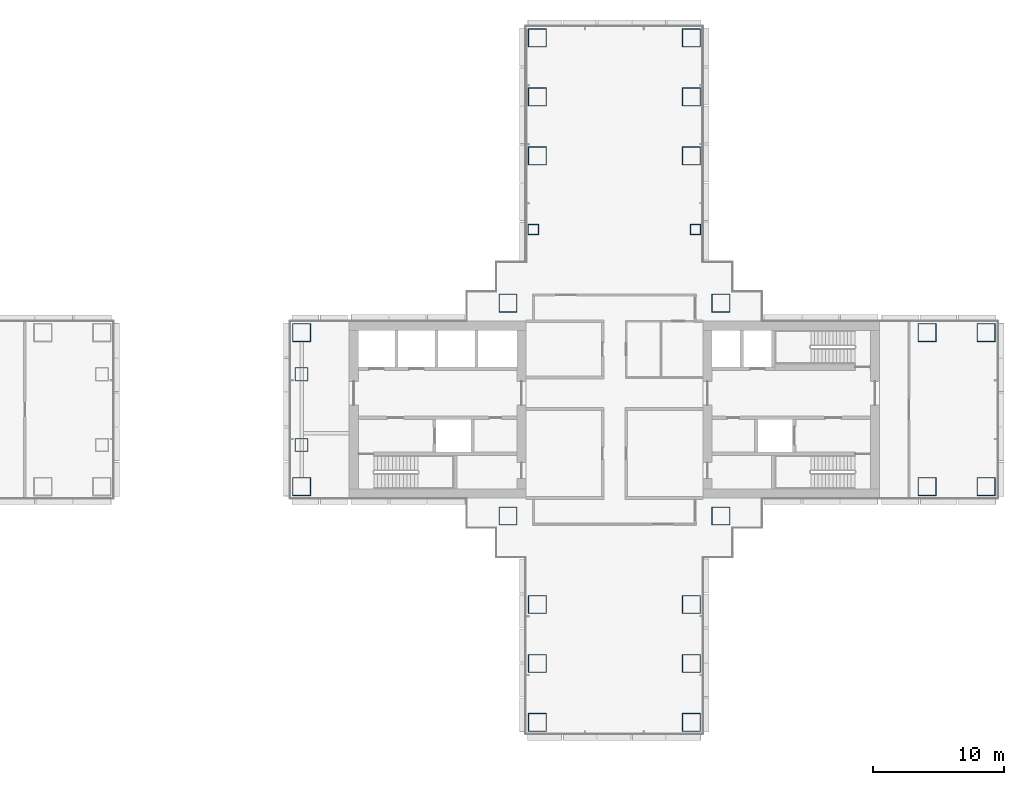
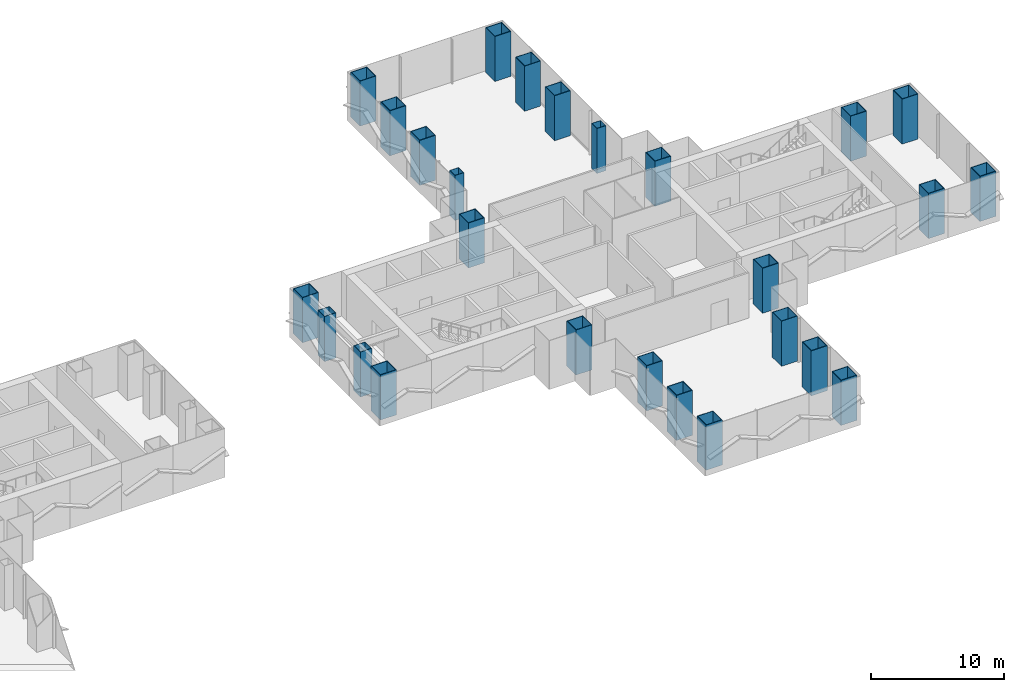
# One storey, part 2 of 22: 26 columns.
"""IFC4 building model written with IfcOpenShell, lengths in metres."""

from ifc_helpers import new_model, si_unit, direction, frame, origin, origin_2d, place, context, subcontext, project, spatial, hollow_rectangle, extrude, material, material_profile, profile_set, type_object, element, save


model = new_model("IFC4")

# Units and contexts
model_context = context("Model", 3, precision=1e-05, world=origin(), true_north=direction((0.0, 1.0)))
body_context = subcontext(model_context, "Body", "Model", "MODEL_VIEW")
ifc_project = project(units=[si_unit("LENGTHUNIT", "METRE"), si_unit("AREAUNIT", "SQUARE_METRE"), si_unit("VOLUMEUNIT", "CUBIC_METRE"), si_unit("PLANEANGLEUNIT", "RADIAN"), si_unit("MASSUNIT", "GRAM", prefix="KILO")], contexts=[model_context])

# Site, building, storey
site_placement = place(None, origin())
site = spatial("IfcSite", under=ifc_project, at=site_placement, CompositionType="ELEMENT")
building_placement = place(site_placement, origin())
building = spatial("IfcBuilding", under=site, at=building_placement, Name="Shamsa Quay Exchange Towers", CompositionType="ELEMENT")
storey_placement = place(building_placement, frame((0.0, 0.0, 33.0)))
storey = spatial("IfcBuildingStorey", under=building, at=storey_placement, Name="L06", CompositionType="ELEMENT", Elevation=33.0)

# Columns
ifc_material_1 = material(Name="Concrete-filled steel tube S355 / C80/95", Category="concrete")
ifc_material_profile_1 = material_profile(ifc_material_1, hollow_rectangle(XDim=1.39990234375, YDim=1.39990234375, WallThickness=0.050048828125, at=origin_2d()), Name="CFT 1400x1400x50")
ifc_profile_set_1 = profile_set([ifc_material_profile_1], Name="Concrete-filled steel tube S355 / C80/95")
column_type_1 = type_object("IfcColumnType", Name="Column CFT 1400x1400x50", PredefinedType="COLUMN", material=ifc_profile_set_1)
for number, where, name in (
    (1, (25.625, 8.125, 0.0), "Mega column T2-CM01"),
    (2, (41.875, 8.125, 0.0), "Mega column T2-CM02"),
    (3, (25.625, -8.125, 0.0), "Mega column T2-CM03"),
    (4, (41.875, -8.125, 0.0), "Mega column T2-CM04"),
    (5, (39.625, 19.375, 0.0), "Mega column T2-CM06"),
    (6, (39.625, 23.875, 0.0), "Mega column T2-CM07"),
    (7, (39.625, 28.375, 0.0), "Mega column T2-CM08"),
    (8, (27.875, 19.375, 0.0), "Mega column T2-CM10"),
    (9, (27.875, 23.875, 0.0), "Mega column T2-CM11"),
    (10, (27.875, 28.375, 0.0), "Mega column T2-CM12"),
    (11, (39.625, -14.875, 0.0), "Mega column T2-CM13"),
    (12, (39.625, -19.375, 0.0), "Mega column T2-CM14"),
    (13, (39.625, -23.875, 0.0), "Mega column T2-CM15"),
    (14, (27.875, -14.875, 0.0), "Mega column T2-CM16"),
    (15, (27.875, -19.375, 0.0), "Mega column T2-CM17"),
    (16, (27.875, -23.875, 0.0), "Mega column T2-CM18"),
    (17, (9.875, -5.875, 0.0), "Mega column T2-CM19"),
    (18, (9.875, 5.875, 0.0), "Mega column T2-CM20"),
    (19, (57.625, -5.875, 0.0), "Mega column T2-CM21"),
    (20, (62.125, -5.875, 0.0), "Mega column T2-CM22"),
    (21, (57.625, 5.875, 0.0), "Mega column T2-CM23"),
    (22, (62.125, 5.875, 0.0), "Mega column T2-CM24"),
):
    element("IfcColumn", number, at=place(storey_placement, frame(where)), inside=storey, type_object=column_type_1, Name=name, PredefinedType="COLUMN", context=body_context, shape_type="SweptSolid", body=[
        extrude(hollow_rectangle(XDim=1.39990234375, YDim=1.39990234375, WallThickness=0.050048828125, at=origin_2d()), origin(), (0.0, 0.0, 1.0), 4.14990234375),
    ])
ifc_material_2 = material(Name="Concrete-filled steel tube S355 / C60/75", Category="concrete")
ifc_material_profile_2 = material_profile(ifc_material_2, hollow_rectangle(XDim=0.800048828125, YDim=0.800048828125, WallThickness=0.02490234375, at=origin_2d()), Name="CFT 800x800x25")
ifc_profile_set_2 = profile_set([ifc_material_profile_2], Name="Concrete-filled steel tube S355 / C60/75")
column_type_2 = type_object("IfcColumnType", Name="Column CFT 800x800x25", PredefinedType="COLUMN", material=ifc_profile_set_2)
for number, where, name in (
    (23, (39.9375, 13.75, 0.0), "Perimeter column T2-CP05"),
    (24, (27.5625, 13.75, 0.0), "Perimeter column T2-CP09"),
):
    element("IfcColumn", number, at=place(storey_placement, frame(where)), inside=storey, type_object=column_type_2, Name=name, PredefinedType="COLUMN", context=body_context, shape_type="SweptSolid", body=[
        extrude(hollow_rectangle(XDim=0.800048828125, YDim=0.800048828125, WallThickness=0.02490234375, at=origin_2d()), origin(), (0.0, 0.0, 1.0), 4.14990234375),
    ])
ifc_material_3 = material(Name="Concrete-filled steel tube S355 / C70/85", Category="concrete")
ifc_material_profile_3 = material_profile(ifc_material_3, hollow_rectangle(XDim=1.0, YDim=1.0, WallThickness=0.0400390625, at=origin_2d()), Name="CFT 1000x1000x40")
ifc_profile_set_3 = profile_set([ifc_material_profile_3], Name="Concrete-filled steel tube S355 / C70/85")
column_type_3 = type_object("IfcColumnType", Name="Landing column CFT 1000x1000x40", PredefinedType="COLUMN", material=ifc_profile_set_3)
for number, where, name in (
    (25, (9.875, -2.699951171875, 0.0), "Landing column T2 S"),
    (26, (9.875, 2.699951171875, 0.0), "Landing column T2 N"),
):
    element("IfcColumn", number, at=place(storey_placement, frame(where)), inside=storey, type_object=column_type_3, Name=name, PredefinedType="COLUMN", context=body_context, shape_type="SweptSolid", body=[
        extrude(hollow_rectangle(XDim=1.0, YDim=1.0, WallThickness=0.0400390625, at=origin_2d()), origin(), (0.0, 0.0, 1.0), 4.14990234375),
    ])

save(model, "model.ifc")
